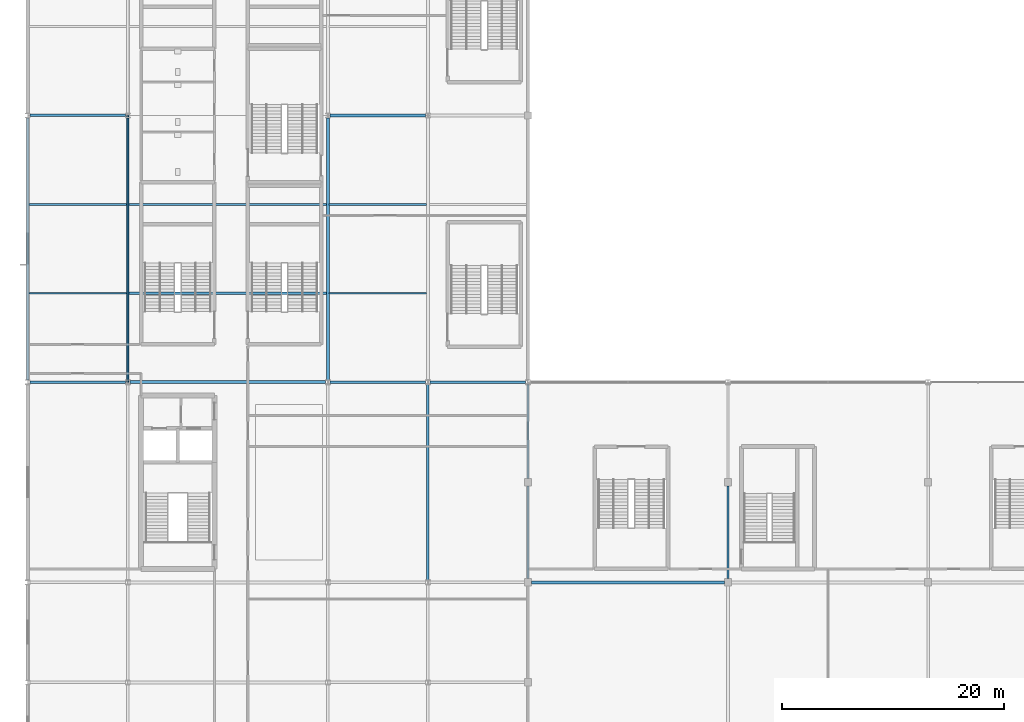
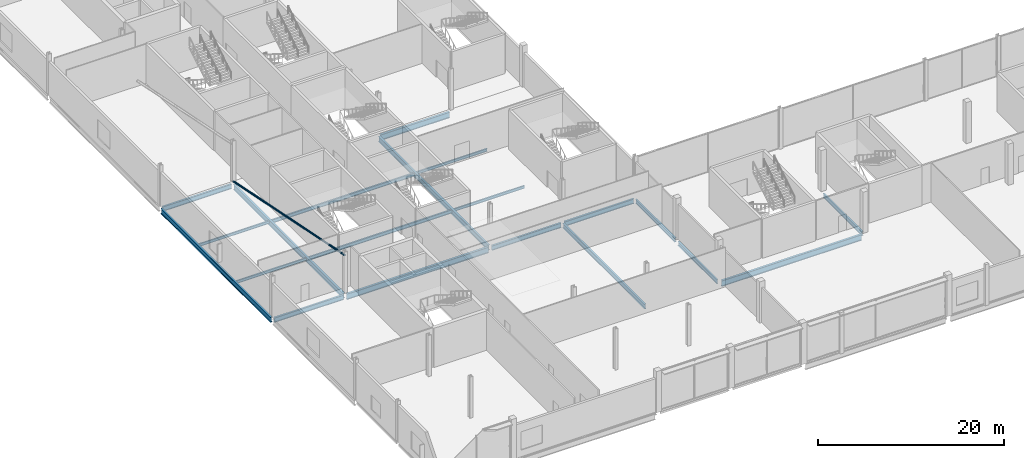
# One storey, part 16 of 111: 20 beams, 1 member.
"""IFC4 building model written with IfcOpenShell, lengths in metres."""

from ifc_helpers import new_model, si_unit, direction, frame, origin, origin_2d, place, context, subcontext, project, spatial, hollow_circle, i_section, extrude, material, material_profile, profile_set, type_object, element, save


model = new_model("IFC4")

# Units and contexts
model_context = context("Model", 3, precision=1e-05, world=origin(), true_north=direction((0.0, 1.0)))
body_context = subcontext(model_context, "Body", "Model", "MODEL_VIEW")
ifc_project = project(units=[si_unit("LENGTHUNIT", "METRE"), si_unit("AREAUNIT", "SQUARE_METRE"), si_unit("VOLUMEUNIT", "CUBIC_METRE"), si_unit("PLANEANGLEUNIT", "RADIAN"), si_unit("MASSUNIT", "GRAM", prefix="KILO")], contexts=[model_context])

# Site, building, storey
site_placement = place(None, origin())
site = spatial("IfcSite", under=ifc_project, at=site_placement, CompositionType="ELEMENT")
building_placement = place(site_placement, origin())
building = spatial("IfcBuilding", under=site, at=building_placement, Name="Kisiwana Market Hall", CompositionType="ELEMENT")
storey_placement = place(building_placement, frame((0.0, 0.0, 11.39990234375)))
storey = spatial("IfcBuildingStorey", under=building, at=storey_placement, Name="L02", CompositionType="ELEMENT", Elevation=11.39990234375)

# Beams
ifc_material_1 = material(Name="Steel S355", Category="steel")
ifc_material_profile_1 = material_profile(ifc_material_1, i_section(OverallWidth=0.209228515625, OverallDepth=0.533203125, WebThickness=0.010009765625, FlangeThickness=0.015625, at=origin_2d()), Name="UB 533x210x92")
ifc_profile_set_1 = profile_set([ifc_material_profile_1], Name="Steel S355")
beam_type_1 = type_object("IfcBeamType", Name="BM-GIRD-UB533", PredefinedType="BEAM", material=ifc_profile_set_1)
beam_1_placement = place(storey_placement, frame((45.0, 18.321044921875, -0.516357421875), z_axis=(0.0, 1.0, 0.0), x_axis=(-1.0, 0.0, 0.0)))
element("IfcBeam", 1, at=beam_1_placement, inside=storey, type_object=beam_type_1, Name="Primary girder B-0625", PredefinedType="BEAM", context=body_context, shape_type="SweptSolid", body=[
    extrude(i_section(OverallWidth=0.209228515625, OverallDepth=0.533203125, WebThickness=0.010009765625, FlangeThickness=0.015625, at=origin_2d()), origin(), (0.0, 0.0, 1.0), 8.35791015625),
])
beam_2_placement = place(storey_placement, frame((45.0, 27.321044921875, -0.516357421875), z_axis=(0.0, 1.0, 0.0), x_axis=(-1.0, 0.0, 0.0)))
element("IfcBeam", 2, at=beam_2_placement, inside=storey, type_object=beam_type_1, Name="Primary girder B-0626", PredefinedType="BEAM", context=body_context, shape_type="SweptSolid", body=[
    extrude(i_section(OverallWidth=0.209228515625, OverallDepth=0.533203125, WebThickness=0.010009765625, FlangeThickness=0.015625, at=origin_2d()), origin(), (0.0, 0.0, 1.0), 8.465576171875),
])
beam_3_placement = place(storey_placement, frame((63.0, 18.321044921875, -0.516357421875), z_axis=(0.0, 1.0, 0.0), x_axis=(-1.0, 0.0, 0.0)))
element("IfcBeam", 3, at=beam_3_placement, inside=storey, type_object=beam_type_1, Name="Primary girder B-0632", PredefinedType="BEAM", context=body_context, shape_type="SweptSolid", body=[
    extrude(i_section(OverallWidth=0.209228515625, OverallDepth=0.533203125, WebThickness=0.010009765625, FlangeThickness=0.015625, at=origin_2d()), origin(), (0.0, 0.0, 1.0), 8.35791015625),
])
ifc_material_2 = material(Name="Steel S355", Category="steel")
ifc_material_profile_2 = material_profile(ifc_material_2, i_section(OverallWidth=0.22900390625, OverallDepth=0.6123046875, WebThickness=0.011962890625, FlangeThickness=0.01953125, at=origin_2d()), Name="UB 610x229x125")
ifc_profile_set_2 = profile_set([ifc_material_profile_2], Name="Steel S355")
beam_type_2 = type_object("IfcBeamType", Name="BM-GIRD-UB610H", PredefinedType="BEAM", material=ifc_profile_set_2)
for number, where, z_axis, x_axis, name in (
    (4, (0.201904296875, 36.0, -0.555908203125), (1.0, 0.0, 0.0), (0.0, 1.0, 0.0), "Floor beam B-0755"),
    (5, (27.201904296875, 36.0, -0.555908203125), (1.0, 0.0, 0.0), (0.0, 1.0, 0.0), "Floor beam B-0757"),
    (6, (36.201904296875, 36.0, -0.555908203125), (1.0, 0.0, 0.0), (0.0, 1.0, 0.0), "Floor beam B-0758"),
    (7, (0.201904296875, 60.0, -0.555908203125), (1.0, 0.0, 0.0), (0.0, 1.0, 0.0), "Primary girder B-0599"),
):
    element("IfcBeam", number, at=place(storey_placement, frame(where, z_axis=z_axis, x_axis=x_axis)), inside=storey, type_object=beam_type_2, Name=name, PredefinedType="BEAM", context=body_context, shape_type="SweptSolid", body=[
        extrude(i_section(OverallWidth=0.22900390625, OverallDepth=0.6123046875, WebThickness=0.011962890625, FlangeThickness=0.01953125, at=origin_2d()), origin(), (0.0, 0.0, 1.0), 8.59619140625),
    ])
beam_4_placement = place(storey_placement, frame((36.0, 18.21337890625, -0.555908203125), z_axis=(0.0, 1.0, 0.0), x_axis=(-1.0, 0.0, 0.0)))
element("IfcBeam", 8, at=beam_4_placement, inside=storey, type_object=beam_type_2, Name="Primary girder B-0617", PredefinedType="BEAM", context=body_context, shape_type="SweptSolid", body=[
    extrude(i_section(OverallWidth=0.22900390625, OverallDepth=0.6123046875, WebThickness=0.011962890625, FlangeThickness=0.01953125, at=origin_2d()), origin(), (0.0, 0.0, 1.0), 17.5732421875),
])
ifc_material_3 = material(Name="Steel S355", Category="steel")
ifc_material_profile_3 = material_profile(ifc_material_3, i_section(OverallWidth=0.253662109375, OverallDepth=0.68359375, WebThickness=0.012451171875, FlangeThickness=0.01904296875, at=origin_2d()), Name="UB 686x254x140")
ifc_profile_set_3 = profile_set([ifc_material_profile_3], Name="Steel S355")
beam_type_3 = type_object("IfcBeamType", Name="BM-GIRD-UB686", PredefinedType="BEAM", material=ifc_profile_set_3)
for number, where, z_axis, x_axis, name in (
    (9, (0.0, 36.21337890625, -0.591552734375), (0.0, 1.0, 0.0), (-1.0, 0.0, 0.0), "Floor beam B-0828"),
    (10, (27.0, 36.21337890625, -0.591552734375), (0.0, 1.0, 0.0), (-1.0, 0.0, 0.0), "Floor beam B-0833"),
    (11, (9.0, 36.21337890625, -0.591552734375), (0.0, 1.0, 0.0), (-1.0, 0.0, 0.0), "Primary girder B-0604"),
):
    element("IfcBeam", number, at=place(storey_placement, frame(where, z_axis=z_axis, x_axis=x_axis)), inside=storey, type_object=beam_type_3, Name=name, PredefinedType="BEAM", context=body_context, shape_type="SweptSolid", body=[
        extrude(i_section(OverallWidth=0.253662109375, OverallDepth=0.68359375, WebThickness=0.012451171875, FlangeThickness=0.01904296875, at=origin_2d()), origin(), (0.0, 0.0, 1.0), 23.5732421875),
    ])
ifc_material_4 = material(Name="Steel S355", Category="steel")
ifc_material_profile_4 = material_profile(ifc_material_4, i_section(OverallWidth=0.2666015625, OverallDepth=0.76220703125, WebThickness=0.014404296875, FlangeThickness=0.021484375, at=origin_2d()), Name="UB 762x267x173")
ifc_profile_set_4 = profile_set([ifc_material_profile_4], Name="Steel S355")
beam_type_4 = type_object("IfcBeamType", Name="BM-GIRD-UB762", PredefinedType="BEAM", material=ifc_profile_set_4)
beam_5_placement = place(storey_placement, frame((45.321044921875, 18.0, -0.631103515625), z_axis=(1.0, 0.0, 0.0), x_axis=(0.0, 1.0, 0.0)))
element("IfcBeam", 12, at=beam_5_placement, inside=storey, type_object=beam_type_4, Name="Floor beam B-0745", PredefinedType="BEAM", context=body_context, shape_type="SweptSolid", body=[
    extrude(i_section(OverallWidth=0.2666015625, OverallDepth=0.76220703125, WebThickness=0.014404296875, FlangeThickness=0.021484375, at=origin_2d()), origin(), (0.0, 0.0, 1.0), 17.35791015625),
])
beam_6_placement = place(storey_placement, frame((9.201904296875, 36.0, -0.631103515625), z_axis=(1.0, 0.0, 0.0), x_axis=(0.0, 1.0, 0.0)))
element("IfcBeam", 13, at=beam_6_placement, inside=storey, type_object=beam_type_4, Name="Floor beam B-0756", PredefinedType="BEAM", context=body_context, shape_type="SweptSolid", body=[
    extrude(i_section(OverallWidth=0.2666015625, OverallDepth=0.76220703125, WebThickness=0.014404296875, FlangeThickness=0.021484375, at=origin_2d()), origin(), (0.0, 0.0, 1.0), 17.59619140625),
])
beam_7_placement = place(storey_placement, frame((27.201904296875, 60.0, -0.631103515625), z_axis=(1.0, 0.0, 0.0), x_axis=(0.0, 1.0, 0.0)))
element("IfcBeam", 14, at=beam_7_placement, inside=storey, type_object=beam_type_4, Name="Floor beam B-0771", PredefinedType="BEAM", context=body_context, shape_type="SweptSolid", body=[
    extrude(i_section(OverallWidth=0.2666015625, OverallDepth=0.76220703125, WebThickness=0.014404296875, FlangeThickness=0.021484375, at=origin_2d()), origin(), (0.0, 0.0, 1.0), 8.59619140625),
])
ifc_material_5 = material(Name="Steel S355", Category="steel")
ifc_material_profile_5 = material_profile(ifc_material_5, i_section(OverallWidth=0.17138671875, OverallDepth=0.35498046875, WebThickness=0.00732421875, FlangeThickness=0.011474609375, at=origin_2d()), Name="UB 356x171x51")
ifc_profile_set_5 = profile_set([ifc_material_profile_5], Name="Steel S355")
beam_type_5 = type_object("IfcBeamType", Name="BM-JOIST-UB356", PredefinedType="JOIST", material=ifc_profile_set_5)
for number, where, z_axis, x_axis, name in (
    (15, (0.125732421875, 44.0, -0.427490234375), (1.0, 0.0, 0.0), (0.0, 1.0, 0.0), "Secondary floor joist B-0691"),
    (16, (27.125732421875, 44.0, -0.427490234375), (1.0, 0.0, 0.0), (0.0, 1.0, 0.0), "Secondary floor joist B-0693"),
    (17, (0.125732421875, 52.0, -0.427490234375), (1.0, 0.0, 0.0), (0.0, 1.0, 0.0), "Secondary floor joist B-0697"),
    (18, (27.125732421875, 52.0, -0.427490234375), (1.0, 0.0, 0.0), (0.0, 1.0, 0.0), "Secondary floor joist B-0699"),
):
    element("IfcBeam", number, at=place(storey_placement, frame(where, z_axis=z_axis, x_axis=x_axis)), inside=storey, type_object=beam_type_5, Name=name, PredefinedType="JOIST", context=body_context, shape_type="SweptSolid", body=[
        extrude(i_section(OverallWidth=0.17138671875, OverallDepth=0.35498046875, WebThickness=0.00732421875, FlangeThickness=0.011474609375, at=origin_2d()), origin(), (0.0, 0.0, 1.0), 8.74853515625),
    ])
ifc_material_6 = material(Name="Steel S355", Category="steel")
ifc_material_profile_6 = material_profile(ifc_material_6, i_section(OverallWidth=0.18994140625, OverallDepth=0.453369140625, WebThickness=0.008544921875, FlangeThickness=0.0126953125, at=origin_2d()), Name="UB 457x191x67")
ifc_profile_set_6 = profile_set([ifc_material_profile_6], Name="Steel S355")
beam_type_6 = type_object("IfcBeamType", Name="BM-JOIST-UB457", PredefinedType="JOIST", material=ifc_profile_set_6)
for number, where, z_axis, x_axis, name in (
    (19, (9.125732421875, 44.0, -0.4765625), (1.0, 0.0, 0.0), (0.0, 1.0, 0.0), "Secondary floor joist B-0692"),
    (20, (9.125732421875, 52.0, -0.4765625), (1.0, 0.0, 0.0), (0.0, 1.0, 0.0), "Secondary floor joist B-0698"),
):
    element("IfcBeam", number, at=place(storey_placement, frame(where, z_axis=z_axis, x_axis=x_axis)), inside=storey, type_object=beam_type_6, Name=name, PredefinedType="JOIST", context=body_context, shape_type="SweptSolid", body=[
        extrude(i_section(OverallWidth=0.18994140625, OverallDepth=0.453369140625, WebThickness=0.008544921875, FlangeThickness=0.0126953125, at=origin_2d()), origin(), (0.0, 0.0, 1.0), 17.74853515625),
    ])

# Member
ifc_material_7 = material(Name="Steel S355", Category="steel")
ifc_material_profile_7 = material_profile(ifc_material_7, hollow_circle(Radius=0.122314453125, WallThickness=0.012451171875, at=origin_2d()), Name="CHS 244.5x12.5")
ifc_profile_set_7 = profile_set([ifc_material_profile_7], Name="Steel S355")
member_type = type_object("IfcMemberType", Name="MB-CBF-CHS244", PredefinedType="BRACE", material=ifc_profile_set_7)
member_placement = place(storey_placement, frame((9.0, 60.0, 0.0), z_axis=(0.0, -0.980185232723, 0.198083087497), x_axis=(1.0, 0.0, 0.0)))
element("IfcMember", 21, at=member_placement, inside=storey, type_object=member_type, Name="CBF-POD-W diagonal brace (L02) M-0021", PredefinedType="BRACE", context=body_context, shape_type="SweptSolid", body=[
    extrude(hollow_circle(Radius=0.122314453125, WallThickness=0.012451171875, at=origin_2d()), origin(), (0.0, 0.0, 1.0), 24.485107421875),
])

save(model, "model.ifc")
